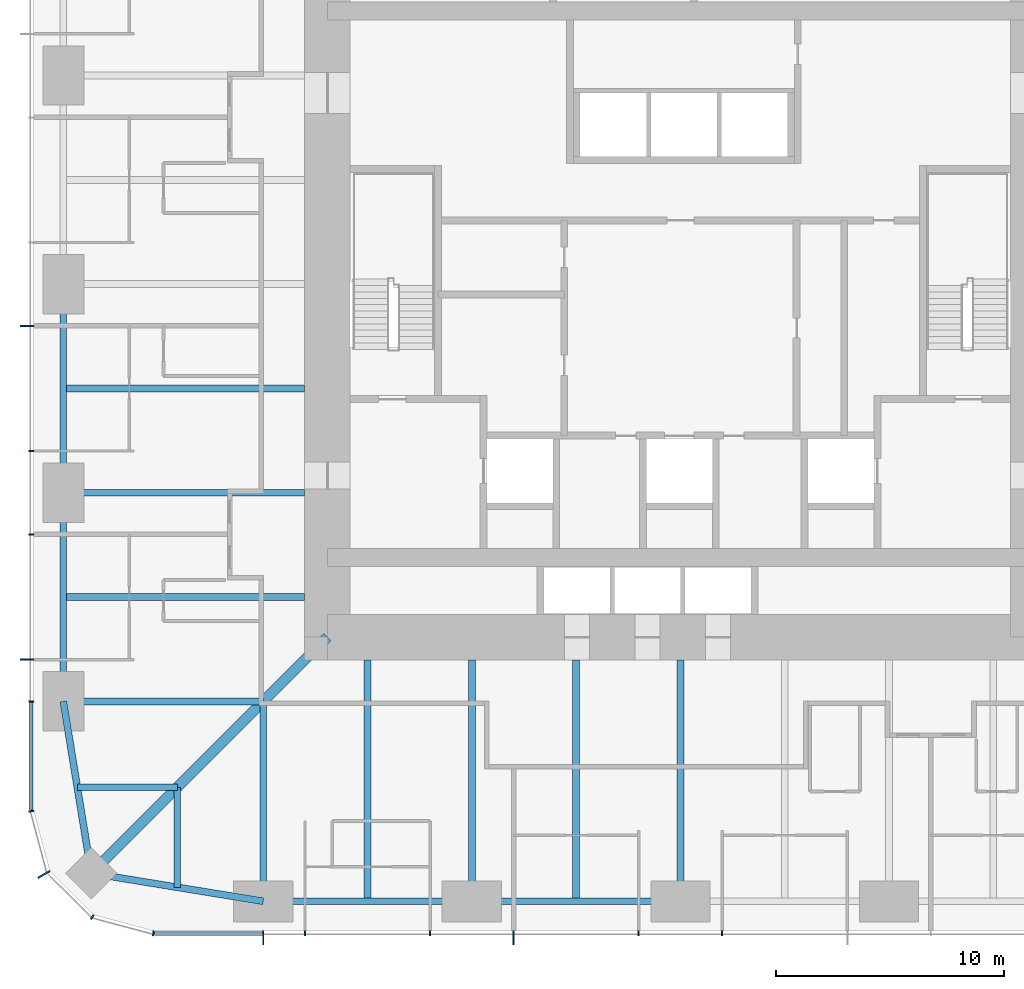
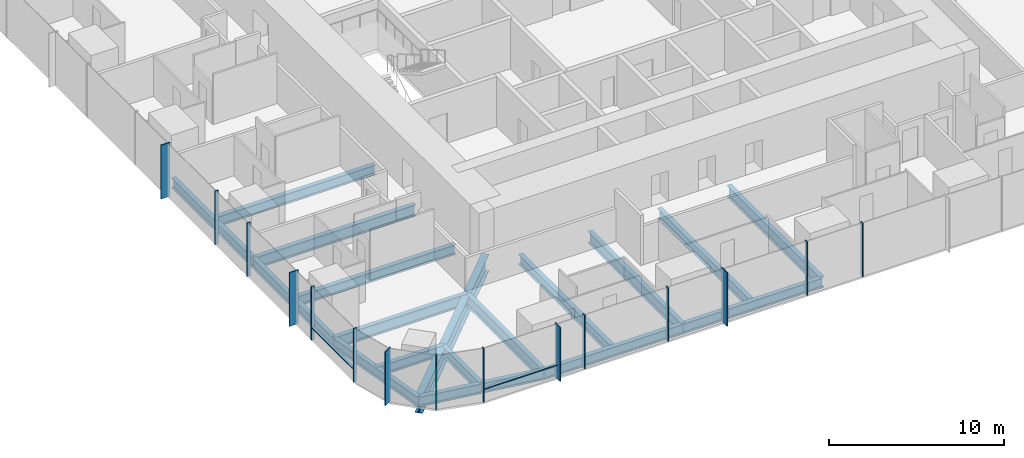
# One storey, part 2 of 13: 18 beams, 17 members, 3 elements without a shape of their own.
"""IFC4 building model written with IfcOpenShell, lengths in metres."""

from ifc_helpers import new_model, si_unit, direction, frame, origin, origin_2d, place, context, subcontext, project, spatial, rectangle, i_section, extrude, material, material_profile, profile_set, type_object, element, aggregate, save


model = new_model("IFC4")

# Units and contexts
model_context = context("Model", 3, precision=1e-05, world=origin(), true_north=direction((0.0, 1.0)))
body_context = subcontext(model_context, "Body", "Model", "MODEL_VIEW")
ifc_project = project(units=[si_unit("LENGTHUNIT", "METRE"), si_unit("AREAUNIT", "SQUARE_METRE"), si_unit("VOLUMEUNIT", "CUBIC_METRE"), si_unit("PLANEANGLEUNIT", "RADIAN"), si_unit("MASSUNIT", "GRAM", prefix="KILO")], contexts=[model_context])

# Site, building, storey
site_placement = place(None, origin())
site = spatial("IfcSite", under=ifc_project, at=site_placement, CompositionType="ELEMENT")
building_placement = place(site_placement, origin())
building = spatial("IfcBuilding", under=site, at=building_placement, Name="Khuree Lantern Residences", CompositionType="ELEMENT")
storey_placement = place(building_placement, frame((0.0, 0.0, 163.5)))
storey = spatial("IfcBuildingStorey", under=building, at=storey_placement, Name="L41", CompositionType="ELEMENT", Elevation=163.5)

# Beams
ifc_material_1 = material(Name="Steel S355", Category="steel")
ifc_material_profile_1 = material_profile(ifc_material_1, i_section(OverallWidth=0.300048828125, OverallDepth=0.68994140625, WebThickness=0.014404296875, FlangeThickness=0.027099609375, FilletRadius=0.027099609375, at=origin_2d()), Name="HE 700 A")
ifc_profile_set_1 = profile_set([ifc_material_profile_1], Name="Steel S355")
beam_type_1 = type_object("IfcBeamType", Name="B-24 SECONDARY BEAM HE 700 A", PredefinedType="BEAM", material=ifc_profile_set_1)
for number, where, z_axis, x_axis, name in (
    (1, (-4.580078125, -27.10009765625, -0.594970703125), (0.0, 1.0, 0.0), (-1.0, 0.0, 0.0), "Secondary beam S4"),
    (2, (-13.739990234375, -27.10009765625, -0.594970703125), (0.0, 1.0, 0.0), (-1.0, 0.0, 0.0), "Secondary beam S5"),
):
    element("IfcBeam", number, at=place(storey_placement, frame(where, z_axis=z_axis, x_axis=x_axis)), inside=storey, type_object=beam_type_1, Name=name, PredefinedType="BEAM", context=body_context, shape_type="SweptSolid", body=[
        extrude(i_section(OverallWidth=0.300048828125, OverallDepth=0.68994140625, WebThickness=0.014404296875, FlangeThickness=0.027099609375, FilletRadius=0.027099609375, at=origin_2d()), origin(), (0.0, 0.0, 1.0), 10.60009765625),
    ])
for number, where, z_axis, x_axis, name in (
    (3, (-22.094970703125, -26.48486328125, -0.594970703125), (0.0, 1.0, 0.0), (-1.0, 0.0, 0.0), "Secondary beam S6"),
    (4, (-26.48486328125, -22.094970703125, -0.594970703125), (1.0, 0.0, 0.0), (0.0, 1.0, 0.0), "Secondary beam W1"),
):
    element("IfcBeam", number, at=place(storey_placement, frame(where, z_axis=z_axis, x_axis=x_axis)), inside=storey, type_object=beam_type_1, Name=name, PredefinedType="BEAM", context=body_context, shape_type="SweptSolid", body=[
        extrude(i_section(OverallWidth=0.300048828125, OverallDepth=0.68994140625, WebThickness=0.014404296875, FlangeThickness=0.027099609375, FilletRadius=0.027099609375, at=origin_2d()), origin(), (0.0, 0.0, 1.0), 4.389892578125),
    ])
for number, where, z_axis, x_axis, name in (
    (5, (-27.10009765625, -13.739990234375, -0.594970703125), (1.0, 0.0, 0.0), (0.0, 1.0, 0.0), "Secondary beam W2"),
    (6, (-27.10009765625, -4.580078125, -0.594970703125), (1.0, 0.0, 0.0), (0.0, 1.0, 0.0), "Secondary beam W3"),
):
    element("IfcBeam", number, at=place(storey_placement, frame(where, z_axis=z_axis, x_axis=x_axis)), inside=storey, type_object=beam_type_1, Name=name, PredefinedType="BEAM", context=body_context, shape_type="SweptSolid", body=[
        extrude(i_section(OverallWidth=0.300048828125, OverallDepth=0.68994140625, WebThickness=0.014404296875, FlangeThickness=0.027099609375, FilletRadius=0.027099609375, at=origin_2d()), origin(), (0.0, 0.0, 1.0), 10.60009765625),
    ])
ifc_material_profile_2 = material_profile(ifc_material_1, i_section(OverallWidth=0.300048828125, OverallDepth=0.68994140625, WebThickness=0.014404296875, FlangeThickness=0.027099609375, FilletRadius=0.027099609375, at=origin_2d()), Name="HE 700 A")
ifc_profile_set_2 = profile_set([ifc_material_profile_2], Name="Steel S355")
beam_type_2 = type_object("IfcBeamType", Name="E-24 SPANDREL BEAM HE 700 A", PredefinedType="SPANDREL", material=ifc_profile_set_2)
beam_1_placement = place(storey_placement, frame((0.0, -27.10009765625, -0.594970703125), z_axis=(-1.0, 0.0, 0.0), x_axis=(0.0, -1.0, 0.0)))
element("IfcBeam", 7, at=beam_1_placement, inside=storey, type_object=beam_type_2, Name="Spandrel beam S4", PredefinedType="SPANDREL", context=body_context, shape_type="SweptSolid", body=[
    extrude(i_section(OverallWidth=0.300048828125, OverallDepth=0.68994140625, WebThickness=0.014404296875, FlangeThickness=0.027099609375, FilletRadius=0.027099609375, at=origin_2d()), origin(), (0.0, 0.0, 1.0), 9.159912109375),
])
beam_2_placement = place(storey_placement, frame((-9.159912109375, -27.10009765625, -0.594970703125), z_axis=(-1.0, 0.0, 0.0), x_axis=(0.0, -1.0, 0.0)))
element("IfcBeam", 8, at=beam_2_placement, inside=storey, type_object=beam_type_2, Name="Spandrel beam S5", PredefinedType="SPANDREL", context=body_context, shape_type="SweptSolid", body=[
    extrude(i_section(OverallWidth=0.300048828125, OverallDepth=0.68994140625, WebThickness=0.014404296875, FlangeThickness=0.027099609375, FilletRadius=0.027099609375, at=origin_2d()), origin(), (0.0, 0.0, 1.0), 9.16015625),
])
for number, where, z_axis, x_axis, name in (
    (9, (-18.320068359375, -27.10009765625, -0.594970703125), (-0.986982656839, 0.160826723833, 0.0), (-0.160826723833, -0.986982656839, 0.0), "Spandrel beam S6"),
    (10, (-25.869873046875, -25.869873046875, -0.594970703125), (-0.160826723833, 0.986982656839, 0.0), (-0.986982656839, -0.160826723833, 0.0), "Spandrel beam W1"),
):
    element("IfcBeam", number, at=place(storey_placement, frame(where, z_axis=z_axis, x_axis=x_axis)), inside=storey, type_object=beam_type_2, Name=name, PredefinedType="SPANDREL", context=body_context, shape_type="SweptSolid", body=[
        extrude(i_section(OverallWidth=0.300048828125, OverallDepth=0.68994140625, WebThickness=0.014404296875, FlangeThickness=0.027099609375, FilletRadius=0.027099609375, at=origin_2d()), origin(), (0.0, 0.0, 1.0), 7.6494140625),
    ])
beam_3_placement = place(storey_placement, frame((-27.10009765625, -18.320068359375, -0.594970703125), z_axis=(0.0, 1.0, 0.0), x_axis=(-1.0, 0.0, 0.0)))
element("IfcBeam", 11, at=beam_3_placement, inside=storey, type_object=beam_type_2, Name="Spandrel beam W2", PredefinedType="SPANDREL", context=body_context, shape_type="SweptSolid", body=[
    extrude(i_section(OverallWidth=0.300048828125, OverallDepth=0.68994140625, WebThickness=0.014404296875, FlangeThickness=0.027099609375, FilletRadius=0.027099609375, at=origin_2d()), origin(), (0.0, 0.0, 1.0), 9.16015625),
])
beam_4_placement = place(storey_placement, frame((-27.10009765625, -9.159912109375, -0.594970703125), z_axis=(0.0, 1.0, 0.0), x_axis=(-1.0, 0.0, 0.0)))
element("IfcBeam", 12, at=beam_4_placement, inside=storey, type_object=beam_type_2, Name="Spandrel beam W3", PredefinedType="SPANDREL", context=body_context, shape_type="SweptSolid", body=[
    extrude(i_section(OverallWidth=0.300048828125, OverallDepth=0.68994140625, WebThickness=0.014404296875, FlangeThickness=0.027099609375, FilletRadius=0.027099609375, at=origin_2d()), origin(), (0.0, 0.0, 1.0), 9.159912109375),
])

# Curtain wall, members
ifc_material_2 = material(Name="Bronze anodised aluminium", Category="aluminium")
curtain_wall_type_1 = type_object("IfcCurtainWallType", Name="CW-T1 TOWER FACE CURTAIN WALL", PredefinedType="USERDEFINED", material=ifc_material_2)
curtain_wall_1_placement = place(storey_placement, origin())
curtain_wall_1 = element("IfcCurtainWall", 13, at=curtain_wall_1_placement, inside=storey, type_object=curtain_wall_type_1, Name="L41 WEST FACE CURTAIN WALL", ObjectType="Stick-built curtain wall", PredefinedType="USERDEFINED")
ifc_material_profile_3 = material_profile(ifc_material_2, rectangle(XDim=0.06494140625, YDim=0.60009765625, at=origin_2d()), Name="F1 65X600")
ifc_profile_set_3 = profile_set([ifc_material_profile_3], Name="Bronze anodised aluminium")
member_type_1 = type_object("IfcMemberType", Name="F1 BRONZE FIN MULLION TOWER 65X600", PredefinedType="MULLION", material=ifc_profile_set_3)
member_1_placement = place(storey_placement, frame((-28.699951171875, -1.83203125, 0.0), z_axis=(0.0, 0.0, 1.0), x_axis=(0.0, -1.0, 0.0)))
member_1 = element("IfcMember", 14, at=member_1_placement, type_object=member_type_1, Name="L41 WEST FACE FIN MULLION 38", PredefinedType="MULLION", context=body_context, shape_type="SweptSolid", body=[
    extrude(rectangle(XDim=0.06494140625, YDim=0.60009765625, at=origin_2d()), origin(), (0.0, 0.0, 1.0), 3.75),
])
member_2_placement = place(storey_placement, frame((-28.699951171875, -16.488037109375, 0.0), z_axis=(0.0, 0.0, 1.0), x_axis=(0.0, -1.0, 0.0)))
member_2 = element("IfcMember", 15, at=member_2_placement, type_object=member_type_1, Name="L41 WEST FACE FIN MULLION 41", PredefinedType="MULLION", context=body_context, shape_type="SweptSolid", body=[
    extrude(rectangle(XDim=0.06494140625, YDim=0.60009765625, at=origin_2d()), origin(), (0.0, 0.0, 1.0), 3.75),
])

# Curtain wall, member
curtain_wall_type_2 = type_object("IfcCurtainWallType", Name="CW-T2 TOWER CORNER CURTAIN WALL", PredefinedType="USERDEFINED", material=ifc_material_2)
curtain_wall_2_placement = place(storey_placement, origin())
curtain_wall_2 = element("IfcCurtainWall", 16, at=curtain_wall_2_placement, inside=storey, type_object=curtain_wall_type_2, Name="L41 SOUTH-WEST CORNER CURTAIN WALL", ObjectType="Faceted corner curtain wall", PredefinedType="USERDEFINED")
member_3_placement = place(storey_placement, frame((-27.95654296875, -25.925048828125, 0.0), z_axis=(0.0, 0.0, 1.0), x_axis=(0.500000026995, -0.866025388199, 0.0)))
member_3 = element("IfcMember", 17, at=member_3_placement, type_object=member_type_1, Name="L41 SOUTH-WEST CORNER FIN MULLION 44", PredefinedType="MULLION", context=body_context, shape_type="SweptSolid", body=[
    extrude(rectangle(XDim=0.06494140625, YDim=0.60009765625, at=origin_2d()), origin(), (0.0, 0.0, 1.0), 3.75),
])

# Curtain wall, members
curtain_wall_3_placement = place(storey_placement, origin())
curtain_wall_3 = element("IfcCurtainWall", 18, at=curtain_wall_3_placement, inside=storey, type_object=curtain_wall_type_1, Name="L41 SOUTH FACE CURTAIN WALL", ObjectType="Stick-built curtain wall", PredefinedType="USERDEFINED")
member_4_placement = place(storey_placement, frame((-18.320068359375, -28.699951171875, 0.0), z_axis=(0.0, 0.0, 1.0), x_axis=(1.0, 0.0, 0.0)))
member_4 = element("IfcMember", 19, at=member_4_placement, type_object=member_type_1, Name="L41 SOUTH FACE FIN MULLION 47", PredefinedType="MULLION", context=body_context, shape_type="SweptSolid", body=[
    extrude(rectangle(XDim=0.06494140625, YDim=0.60009765625, at=origin_2d()), origin(), (0.0, 0.0, 1.0), 3.75),
])
member_5_placement = place(storey_placement, frame((-7.327880859375, -28.699951171875, 0.0), z_axis=(0.0, 0.0, 1.0), x_axis=(1.0, 0.0, 0.0)))
member_5 = element("IfcMember", 20, at=member_5_placement, type_object=member_type_1, Name="L41 SOUTH FACE FIN MULLION 50", PredefinedType="MULLION", context=body_context, shape_type="SweptSolid", body=[
    extrude(rectangle(XDim=0.06494140625, YDim=0.60009765625, at=origin_2d()), origin(), (0.0, 0.0, 1.0), 3.75),
])

# Beams
ifc_material_profile_4 = material_profile(ifc_material_1, i_section(OverallWidth=0.300048828125, OverallDepth=0.800048828125, WebThickness=0.017578125, FlangeThickness=0.032958984375, FilletRadius=0.030029296875, at=origin_2d()), Name="HE 800 B")
ifc_profile_set_4 = profile_set([ifc_material_profile_4], Name="Steel S355")
beam_type_3 = type_object("IfcBeamType", Name="G-24 GIRDER HE 800 B", PredefinedType="BEAM", material=ifc_profile_set_4)
for number, where, z_axis, x_axis, name in (
    (21, (0.0, -27.10009765625, -0.64990234375), (0.0, 1.0, 0.0), (-1.0, 0.0, 0.0), "Girder S3"),
    (22, (-9.159912109375, -27.10009765625, -0.64990234375), (0.0, 1.0, 0.0), (-1.0, 0.0, 0.0), "Girder S4"),
):
    element("IfcBeam", number, at=place(storey_placement, frame(where, z_axis=z_axis, x_axis=x_axis)), inside=storey, type_object=beam_type_3, Name=name, PredefinedType="BEAM", context=body_context, shape_type="SweptSolid", body=[
        extrude(i_section(OverallWidth=0.300048828125, OverallDepth=0.800048828125, WebThickness=0.017578125, FlangeThickness=0.032958984375, FilletRadius=0.030029296875, at=origin_2d()), origin(), (0.0, 0.0, 1.0), 10.60009765625),
    ])
for number, where, z_axis, x_axis, name in (
    (23, (-18.320068359375, -27.10009765625, -0.64990234375), (0.0, 1.0, 0.0), (-1.0, 0.0, 0.0), "Girder S5"),
    (24, (-27.10009765625, -18.320068359375, -0.64990234375), (1.0, 0.0, 0.0), (0.0, 1.0, 0.0), "Girder W1"),
):
    element("IfcBeam", number, at=place(storey_placement, frame(where, z_axis=z_axis, x_axis=x_axis)), inside=storey, type_object=beam_type_3, Name=name, PredefinedType="BEAM", context=body_context, shape_type="SweptSolid", body=[
        extrude(i_section(OverallWidth=0.300048828125, OverallDepth=0.800048828125, WebThickness=0.017578125, FlangeThickness=0.032958984375, FilletRadius=0.030029296875, at=origin_2d()), origin(), (0.0, 0.0, 1.0), 8.780029296875),
    ])
beam_5_placement = place(storey_placement, frame((-27.10009765625, -9.159912109375, -0.64990234375), z_axis=(1.0, 0.0, 0.0), x_axis=(0.0, 1.0, 0.0)))
element("IfcBeam", 25, at=beam_5_placement, inside=storey, type_object=beam_type_3, Name="Girder W2", PredefinedType="BEAM", context=body_context, shape_type="SweptSolid", body=[
    extrude(i_section(OverallWidth=0.300048828125, OverallDepth=0.800048828125, WebThickness=0.017578125, FlangeThickness=0.032958984375, FilletRadius=0.030029296875, at=origin_2d()), origin(), (0.0, 0.0, 1.0), 10.60009765625),
])
ifc_material_profile_5 = material_profile(ifc_material_1, i_section(OverallWidth=0.449951171875, OverallDepth=1.199951171875, WebThickness=0.02490234375, FlangeThickness=0.044921875, at=origin_2d()), Name="WELDED I 1200X450X25X45")
ifc_profile_set_5 = profile_set([ifc_material_profile_5], Name="Steel S355")
beam_type_4 = type_object("IfcBeamType", Name="GD-24 CORNER GIRDER WELDED I 1200X450X25X45", PredefinedType="BEAM", material=ifc_profile_set_5)
beam_6_placement = place(storey_placement, frame((-25.869873046875, -25.869873046875, -0.85009765625), z_axis=(0.707106781187, 0.707106781187, 0.0), x_axis=(-0.707106781187, 0.707106781187, 0.0)))
element("IfcBeam", 26, at=beam_6_placement, inside=storey, type_object=beam_type_4, Name="Corner girder SW", PredefinedType="BEAM", context=body_context, shape_type="SweptSolid", body=[
    extrude(i_section(OverallWidth=0.449951171875, OverallDepth=1.199951171875, WebThickness=0.02490234375, FlangeThickness=0.044921875, at=origin_2d()), origin(), (0.0, 0.0, 1.0), 14.665283203125),
])

# Member
ifc_material_profile_6 = material_profile(ifc_material_2, rectangle(XDim=0.06494140625, YDim=0.219970703125, at=origin_2d()), Name="M1 65X220")
ifc_profile_set_6 = profile_set([ifc_material_profile_6], Name="Bronze anodised aluminium")
member_type_2 = type_object("IfcMemberType", Name="M1 BRONZE MULLION TOWER 65X220", PredefinedType="MULLION", material=ifc_profile_set_6)
member_6_placement = place(storey_placement, frame((-28.510009765625, -7.327880859375, 0.0), z_axis=(0.0, 0.0, 1.0), x_axis=(0.0, -1.0, 0.0)))
member_6 = element("IfcMember", 27, at=member_6_placement, type_object=member_type_2, Name="L41 WEST FACE MULLION 39", PredefinedType="MULLION", context=body_context, shape_type="SweptSolid", body=[
    extrude(rectangle(XDim=0.06494140625, YDim=0.219970703125, at=origin_2d()), origin(), (0.0, 0.0, 1.0), 3.75),
])

member_7_placement = place(storey_placement, frame((-28.510009765625, -10.991943359375, 0.0), z_axis=(0.0, 0.0, 1.0), x_axis=(0.0, -1.0, 0.0)))
member_7 = element("IfcMember", 28, at=member_7_placement, type_object=member_type_2, Name="L41 WEST FACE MULLION 40", PredefinedType="MULLION", context=body_context, shape_type="SweptSolid", body=[
    extrude(rectangle(XDim=0.06494140625, YDim=0.219970703125, at=origin_2d()), origin(), (0.0, 0.0, 1.0), 3.75),
])

member_8_placement = place(storey_placement, frame((-28.510009765625, -18.320068359375, 0.0), z_axis=(0.0, 0.0, 1.0), x_axis=(0.0, -1.0, 0.0)))
member_8 = element("IfcMember", 29, at=member_8_placement, type_object=member_type_2, Name="L41 WEST FACE MULLION 42", PredefinedType="MULLION", context=body_context, shape_type="SweptSolid", body=[
    extrude(rectangle(XDim=0.06494140625, YDim=0.219970703125, at=origin_2d()), origin(), (0.0, 0.0, 1.0), 3.75),
])

member_9_placement = place(storey_placement, frame((-28.51171875, -23.14501953125, 0.0), z_axis=(0.0, 0.0, 1.0), x_axis=(0.130526223125, -0.991444857305, 0.0)))
member_9 = element("IfcMember", 30, at=member_9_placement, type_object=member_type_2, Name="L41 SOUTH-WEST CORNER MULLION 43", PredefinedType="MULLION", context=body_context, shape_type="SweptSolid", body=[
    extrude(rectangle(XDim=0.06494140625, YDim=0.219970703125, at=origin_2d()), origin(), (0.0, 0.0, 1.0), 3.75),
])

member_10_placement = place(storey_placement, frame((-25.830078125, -27.7919921875, 0.0), z_axis=(0.0, 0.0, 1.0), x_axis=(0.866025388199, -0.500000026995, 0.0)))
member_10 = element("IfcMember", 31, at=member_10_placement, type_object=member_type_2, Name="L41 SOUTH-WEST CORNER MULLION 45", PredefinedType="MULLION", context=body_context, shape_type="SweptSolid", body=[
    extrude(rectangle(XDim=0.06494140625, YDim=0.219970703125, at=origin_2d()), origin(), (0.0, 0.0, 1.0), 3.75),
])

aggregate(curtain_wall_2, [member_9, member_3, member_10])

member_11_placement = place(storey_placement, frame((-23.14501953125, -28.51171875, 0.0), z_axis=(0.0, 0.0, 1.0), x_axis=(0.991444857305, -0.130526223125, 0.0)))
member_11 = element("IfcMember", 32, at=member_11_placement, type_object=member_type_2, Name="L41 SOUTH FACE MULLION 46", PredefinedType="MULLION", context=body_context, shape_type="SweptSolid", body=[
    extrude(rectangle(XDim=0.06494140625, YDim=0.219970703125, at=origin_2d()), origin(), (0.0, 0.0, 1.0), 3.75),
])

member_12_placement = place(storey_placement, frame((-16.488037109375, -28.510009765625, 0.0), z_axis=(0.0, 0.0, 1.0), x_axis=(1.0, 0.0, 0.0)))
member_12 = element("IfcMember", 33, at=member_12_placement, type_object=member_type_2, Name="L41 SOUTH FACE MULLION 48", PredefinedType="MULLION", context=body_context, shape_type="SweptSolid", body=[
    extrude(rectangle(XDim=0.06494140625, YDim=0.219970703125, at=origin_2d()), origin(), (0.0, 0.0, 1.0), 3.75),
])

member_13_placement = place(storey_placement, frame((-10.991943359375, -28.510009765625, 0.0), z_axis=(0.0, 0.0, 1.0), x_axis=(1.0, 0.0, 0.0)))
member_13 = element("IfcMember", 34, at=member_13_placement, type_object=member_type_2, Name="L41 SOUTH FACE MULLION 49", PredefinedType="MULLION", context=body_context, shape_type="SweptSolid", body=[
    extrude(rectangle(XDim=0.06494140625, YDim=0.219970703125, at=origin_2d()), origin(), (0.0, 0.0, 1.0), 3.75),
])

member_14_placement = place(storey_placement, frame((-1.83203125, -28.510009765625, 0.0), z_axis=(0.0, 0.0, 1.0), x_axis=(1.0, 0.0, 0.0)))
member_14 = element("IfcMember", 35, at=member_14_placement, type_object=member_type_2, Name="L41 SOUTH FACE MULLION 51", PredefinedType="MULLION", context=body_context, shape_type="SweptSolid", body=[
    extrude(rectangle(XDim=0.06494140625, YDim=0.219970703125, at=origin_2d()), origin(), (0.0, 0.0, 1.0), 3.75),
])

member_15_placement = place(storey_placement, frame((1.83203125, -28.510009765625, 0.0), z_axis=(0.0, 0.0, 1.0), x_axis=(1.0, 0.0, 0.0)))
member_15 = element("IfcMember", 36, at=member_15_placement, type_object=member_type_2, Name="L41 SOUTH FACE MULLION 52", PredefinedType="MULLION", context=body_context, shape_type="SweptSolid", body=[
    extrude(rectangle(XDim=0.06494140625, YDim=0.219970703125, at=origin_2d()), origin(), (0.0, 0.0, 1.0), 3.75),
])

ifc_material_profile_7 = material_profile(ifc_material_2, rectangle(XDim=0.179931640625, YDim=0.06494140625, at=origin_2d()), Name="T1 180X65")
ifc_profile_set_7 = profile_set([ifc_material_profile_7], Name="Bronze anodised aluminium")
member_type_3 = type_object("IfcMemberType", Name="TRANSOM T1 TOWER 180X65", PredefinedType="USERDEFINED", material=ifc_profile_set_7)
member_16_placement = place(storey_placement, frame((-28.52001953125, -18.3525390625, 0.89990234375), z_axis=(0.0, -1.0, 0.0), x_axis=(1.0, 0.0, 0.0)))
member_16 = element("IfcMember", 37, at=member_16_placement, type_object=member_type_3, Name="L41 WEST FACE TRANSOM 42.1", ObjectType="Transom", PredefinedType="USERDEFINED", context=body_context, shape_type="SweptSolid", body=[
    extrude(rectangle(XDim=0.179931640625, YDim=0.06494140625, at=origin_2d()), origin(), (0.0, 0.0, 1.0), 4.748779296875),
])

aggregate(curtain_wall_1, [member_1, member_6, member_7, member_2, member_8, member_16])

member_17_placement = place(storey_placement, frame((-23.101318359375, -28.52001953125, 0.89990234375), z_axis=(1.0, 0.0, 0.0), x_axis=(0.0, 1.0, 0.0)))
member_17 = element("IfcMember", 38, at=member_17_placement, type_object=member_type_3, Name="L41 SOUTH FACE TRANSOM 46.1", ObjectType="Transom", PredefinedType="USERDEFINED", context=body_context, shape_type="SweptSolid", body=[
    extrude(rectangle(XDim=0.179931640625, YDim=0.06494140625, at=origin_2d()), origin(), (0.0, 0.0, 1.0), 4.748779296875),
])

aggregate(curtain_wall_3, [member_11, member_4, member_12, member_13, member_5, member_14, member_15, member_17])

save(model, "model.ifc")
